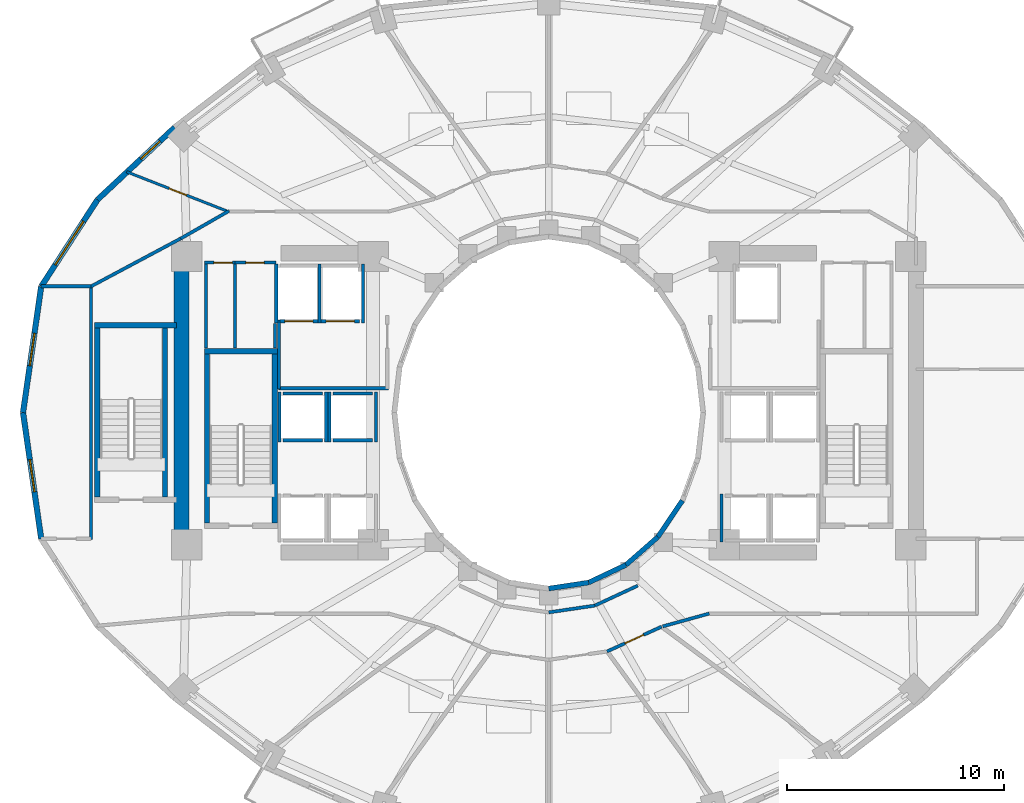
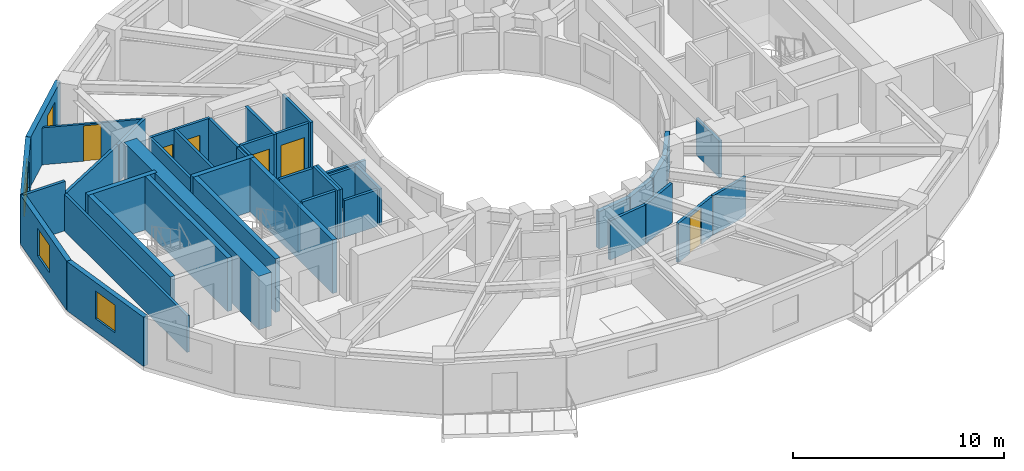
# One storey, part 4 of 10: 45 walls, 6 doors, 4 windows, 10 openings.
"""IFC4 building model written with IfcOpenShell, lengths in metres."""

from ifc_helpers import new_model, si_unit, direction, frame, frame_2d, origin, place, context, subcontext, project, spatial, rectangle, extrude, material, layer, layer_set, type_object, element, fill, save


model = new_model("IFC4")

# Units and contexts
model_context = context("Model", 3, precision=1e-05, world=origin(), true_north=direction((0.0, 1.0)))
body_context = subcontext(model_context, "Body", "Model", "MODEL_VIEW")
ifc_project = project(units=[si_unit("LENGTHUNIT", "METRE"), si_unit("AREAUNIT", "SQUARE_METRE"), si_unit("VOLUMEUNIT", "CUBIC_METRE"), si_unit("PLANEANGLEUNIT", "RADIAN"), si_unit("MASSUNIT", "GRAM", prefix="KILO")], contexts=[model_context])

# Site, building, storey
site_placement = place(None, origin())
site = spatial("IfcSite", under=ifc_project, at=site_placement, CompositionType="ELEMENT")
building_placement = place(site_placement, origin())
building = spatial("IfcBuilding", under=site, at=building_placement, Name="Solvane Sanctuary Tower", CompositionType="ELEMENT")
storey_placement = place(building_placement, frame((0.0, 0.0, 107.300048828125)))
storey = spatial("IfcBuildingStorey", under=building, at=storey_placement, Name="L32", CompositionType="ELEMENT", Elevation=107.300048828125)

# Walls
ifc_material_1 = material(Name="Concrete C60/75", Category="concrete")
ifc_layer_1 = layer(ifc_material_1, 0.699951171875, Name="Concrete C60/75")
ifc_layer_set_1 = layer_set([ifc_layer_1], Name="Concrete C60/75")
wall_type_1 = type_object("IfcWallType", Name="Wall W-CORE-700", PredefinedType="SHEAR", material=ifc_layer_set_1)
wall_1_placement = place(storey_placement, frame((15.050048828125, 17.050048828125, 0.0), z_axis=(0.0, 0.0, 1.0), x_axis=(0.0, 1.0, 0.0)))
element("IfcWall", 1, at=wall_1_placement, inside=storey, type_object=wall_type_1, Name="L32 Core Shear Wall WC-W", PredefinedType="SHEAR", context=body_context, shape_type="SweptSolid", body=[
    extrude(rectangle(XDim=12.800048828125, YDim=0.699951171875, at=frame_2d((6.39990234375, 0.0))), origin(), (0.0, 0.0, 1.0), 3.099853515625),
])
ifc_material_2 = material(Name="Acoustic Gypsum Partition Board")
ifc_layer_2 = layer(ifc_material_2, 0.14990234375, Name="Acoustic Gypsum Partition Board")
ifc_layer_set_2 = layer_set([ifc_layer_2], Name="Acoustic Gypsum Partition Board")
wall_type_2 = type_object("IfcWallType", Name="Wall W-CORR-150", PredefinedType="PARTITIONING", material=ifc_layer_set_2)
wall_2_placement = place(storey_placement, frame((19.52001953125, 24.1201171875, 0.0), z_axis=(0.0, 0.0, 1.0), x_axis=(1.0, 0.0, 0.0)))
element("IfcWall", 2, at=wall_2_placement, inside=storey, type_object=wall_type_2, Name="L32 West Firefighting Lobby South Wall", PredefinedType="PARTITIONING", context=body_context, shape_type="SweptSolid", body=[
    extrude(rectangle(XDim=5.080078125, YDim=0.14990234375, at=frame_2d((2.5400390625, 0.0))), origin(), (0.0, 0.0, 1.0), 2.119873046875),
])
wall_3_placement = place(storey_placement, frame((19.550048828125, 24.080078125, 0.0), z_axis=(0.0, 0.0, 1.0), x_axis=(0.0, 1.0, 0.0)))
element("IfcWall", 3, at=wall_3_placement, inside=storey, type_object=wall_type_2, Name="L32 West Firefighting Lobby West Wall", PredefinedType="PARTITIONING", context=body_context, shape_type="SweptSolid", body=[
    extrude(rectangle(XDim=3.199951171875, YDim=0.14990234375, at=frame_2d((1.60009765625, 0.0))), origin(), (0.0, 0.0, 1.0), 2.85498046875),
])
wall_4_placement = place(storey_placement, frame((32.0, 13.780029296875, 0.0), z_axis=(0.0, 0.0, 1.0), x_axis=(0.989268584896, 0.146108408166, 0.0)))
element("IfcWall", 4, at=wall_4_placement, inside=storey, type_object=wall_type_2, Name="L32 Light-Well Corridor Rim Wall S3", PredefinedType="PARTITIONING", context=body_context, shape_type="SweptSolid", body=[
    extrude(rectangle(XDim=2.150634765625, YDim=0.14990234375, at=frame_2d((1.0751953125, 0.0))), origin(), (0.0, 0.0, 1.0), 2.27197265625),
])
wall_5_placement = place(storey_placement, frame((34.12744140625, 14.09423828125, 0.0), z_axis=(0.0, 0.0, 1.0), x_axis=(0.906943449489, 0.421252393975, 0.0)))
element("IfcWall", 5, at=wall_5_placement, inside=storey, type_object=wall_type_2, Name="L32 Light-Well Corridor Rim Wall S4", PredefinedType="PARTITIONING", context=body_context, shape_type="SweptSolid", body=[
    extrude(rectangle(XDim=2.18603515625, YDim=0.14990234375, at=frame_2d((1.093017578125, 0.0))), origin(), (0.0, 0.0, 1.0), 2.27197265625),
])
wall_6_placement = place(storey_placement, frame((10.8798828125, 17.134765625, 0.0), z_axis=(0.0, 0.0, 1.0), x_axis=(0.0, 1.0, 0.0)))
element("IfcWall", 6, at=wall_6_placement, inside=storey, type_object=wall_type_2, Name="L32 West Shoulder Back Wall", PredefinedType="PARTITIONING", context=body_context, shape_type="SweptSolid", body=[
    extrude(rectangle(XDim=11.73046875, YDim=0.14990234375, at=frame_2d((5.865234375, 0.0))), origin(), (0.0, 0.0, 1.0), 2.119873046875),
])
wall_7_placement = place(storey_placement, frame((8.558349609375, 28.8251953125, 0.0), z_axis=(0.0, 0.0, 1.0), x_axis=(1.0, 0.0, 0.0)))
element("IfcWall", 7, at=wall_7_placement, inside=storey, type_object=wall_type_2, Name="L32 West Shoulder North Wall", PredefinedType="PARTITIONING", context=body_context, shape_type="SweptSolid", body=[
    extrude(rectangle(XDim=2.321533203125, YDim=0.14990234375, at=frame_2d((1.16064453125, 0.0))), origin(), (0.0, 0.0, 1.0), 2.85498046875),
])
wall_8_placement = place(storey_placement, frame((10.8447265625, 28.806396484375, 0.0), z_axis=(0.0, 0.0, 1.0), x_axis=(0.88227840565, 0.470727962759, 0.0)))
element("IfcWall", 8, at=wall_8_placement, inside=storey, type_object=wall_type_2, Name="L32 NW Corner Closer 1", PredefinedType="PARTITIONING", context=body_context, shape_type="SweptSolid", body=[
    extrude(rectangle(XDim=4.806396484375, YDim=0.14990234375, at=frame_2d((2.4033203125, 0.0))), origin(), (0.0, 0.0, 1.0), 2.141845703125),
])
wall_9_placement = place(storey_placement, frame((17.243408203125, 32.3046875, 0.0), z_axis=(0.0, 0.0, 1.0), x_axis=(-0.867991349648, -0.496579315857, 0.0)))
element("IfcWall", 9, at=wall_9_placement, inside=storey, type_object=wall_type_2, Name="L32 NW Corner Wing Wall", PredefinedType="PARTITIONING", context=body_context, shape_type="SweptSolid", body=[
    extrude(rectangle(XDim=2.56689453125, YDim=0.14990234375, at=frame_2d((1.283447265625, 0.0))), origin(), (0.0, 0.0, 1.0), 2.141845703125),
])
wall_10_placement = place(storey_placement, frame((37.258056640625, 13.13330078125, 0.0), z_axis=(0.0, 0.0, 1.0), x_axis=(0.963833843713, 0.266503886865, 0.0)))
element("IfcWall", 10, at=wall_10_placement, inside=storey, type_object=wall_type_2, Name="L32 SE Corner Throat Wall", PredefinedType="PARTITIONING", context=body_context, shape_type="SweptSolid", body=[
    extrude(rectangle(XDim=2.231689453125, YDim=0.14990234375, at=frame_2d((1.11572265625, 0.0))), origin(), (0.0, 0.0, 1.0), 2.27197265625),
])

# Wall, opening, door
wall_11_placement = place(storey_placement, frame((34.687255859375, 11.976806640625, 0.0), z_axis=(0.0, 0.0, 1.0), x_axis=(0.910568469686, 0.41335827319, 0.0)))
wall_11 = element("IfcWall", 11, at=wall_11_placement, inside=storey, type_object=wall_type_2, Name="L32 Unit Corridor Wall S4", PredefinedType="PARTITIONING", context=body_context, shape_type="SweptSolid", body=[
    extrude(rectangle(XDim=2.771728515625, YDim=0.14990234375, at=frame_2d((1.3857421875, 0.0))), origin(), (0.0, 0.0, 1.0), 2.27197265625),
])
opening_1_placement = place(wall_11_placement, frame((0.910888671875, 0.0, 0.0)))
opening_1 = element("IfcOpeningElement", 12, at=opening_1_placement, cuts=wall_11, Name="Opening D-L32-29", PredefinedType="OPENING", context=body_context, shape_type="SweptSolid", body=[
    extrude(rectangle(XDim=0.949951171875, YDim=2.10009765625, at=frame_2d((0.47509765625, 1.050048828125))), frame((0.0, 0.0849609375, 0.0), z_axis=(0.0, -1.0, 0.0), x_axis=(1.0, 0.0, 0.0)), (0.0, 0.0, 1.0), 0.169921875),
])
ifc_material_3 = material(Name="Engineered Tropical Hardwood", Category="wood")
door_type_1 = type_object("IfcDoorType", Name="Door D-ROOM-950", OperationType="NOTDEFINED", PredefinedType="DOOR", material=ifc_material_3)
door_1_placement = place(opening_1_placement, origin())
door_1 = element("IfcDoor", 13, at=door_1_placement, inside=storey, type_object=door_type_1, Name="L32 Unit Entrance Door S4", OperationType="SINGLE_SWING_RIGHT", OverallHeight=2.10009765625, OverallWidth=0.949951171875, PredefinedType="DOOR", context=body_context, shape_type="SweptSolid", body=[
    extrude(rectangle(XDim=0.949951171875, YDim=2.10009765625, at=frame_2d((0.47509765625, 1.050048828125))), frame((0.0, 0.02490234375, 0.0), z_axis=(0.0, -1.0, 0.0), x_axis=(1.0, 0.0, 0.0)), (0.0, 0.0, 1.0), 0.050048828125),
])
fill(opening_1, door_1)

# Wall, opening, window
ifc_material_4 = material(Name="Precast concrete C40/50", Category="concrete")
ifc_layer_3 = layer(ifc_material_4, 0.260009765625, Name="Precast concrete C40/50")
ifc_layer_set_3 = layer_set([ifc_layer_3], Name="Precast concrete C40/50")
wall_type_3 = type_object("IfcWallType", Name="Wall W-EXT-250", PredefinedType="STANDARD", material=ifc_layer_set_3)
wall_12_placement = place(storey_placement, frame((14.734130859375, 36.1533203125, 0.0), z_axis=(0.0, 0.0, 1.0), x_axis=(-0.730162452258, -0.68327358599, 0.0)))
wall_12 = element("IfcWall", 14, at=wall_12_placement, inside=storey, type_object=wall_type_3, Name="L32 Ceramic-Printed Facade Wall 09", PredefinedType="STANDARD", context=body_context, shape_type="SweptSolid", body=[
    extrude(rectangle(XDim=4.868408203125, YDim=0.260009765625, at=frame_2d((2.43408203125, 0.0))), origin(), (0.0, 0.0, 1.0), 2.849853515625),
])
opening_2_placement = place(wall_12_placement, frame((0.925537109375, 0.0, 0.75)))
opening_2 = element("IfcOpeningElement", 15, at=opening_2_placement, cuts=wall_12, Name="Opening WN-OPER-1200", PredefinedType="OPENING", context=body_context, shape_type="SweptSolid", body=[
    extrude(rectangle(XDim=1.199951171875, YDim=1.5, at=frame_2d((0.60009765625, 0.75))), frame((0.0, 0.139892578125, 0.0), z_axis=(0.0, -1.0, 0.0), x_axis=(1.0, 0.0, 0.0)), (0.0, 0.0, 1.0), 0.280029296875),
])
ifc_material_5 = material(Name="Dark Ceramic-Fritted Low-E Glass", Category="glass")
window_type_1 = type_object("IfcWindowType", Name="Window WN-OPER-1200", PartitioningType="SINGLE_PANEL", PredefinedType="WINDOW", material=ifc_material_5)
window_1_placement = place(opening_2_placement, origin())
window_1 = element("IfcWindow", 16, at=window_1_placement, inside=storey, type_object=window_type_1, Name="L32 Operable Facade Window 09", OverallHeight=1.5, OverallWidth=1.199951171875, PartitioningType="SINGLE_PANEL", PredefinedType="WINDOW", context=body_context, shape_type="SweptSolid", body=[
    extrude(rectangle(XDim=1.199951171875, YDim=1.5, at=frame_2d((0.60009765625, 0.75))), frame((0.0, 0.030029296875, 0.0), z_axis=(0.0, -1.0, 0.0), x_axis=(1.0, 0.0, 0.0)), (0.0, 0.0, 1.0), 0.06005859375),
])
fill(opening_2, window_1)

wall_13_placement = place(storey_placement, frame((11.179443359375, 32.826904296875, 0.0), z_axis=(0.0, 0.0, 1.0), x_axis=(-0.544388392991, -0.838833283541, 0.0)))
wall_13 = element("IfcWall", 17, at=wall_13_placement, inside=storey, type_object=wall_type_3, Name="L32 Ceramic-Printed Facade Wall 10", PredefinedType="STANDARD", context=body_context, shape_type="SweptSolid", body=[
    extrude(rectangle(XDim=4.7783203125, YDim=0.260009765625, at=frame_2d((2.38916015625, 0.0))), origin(), (0.0, 0.0, 1.0), 2.849853515625),
])
opening_3_placement = place(wall_13_placement, frame((1.189208984375, 0.0, 0.75)))
opening_3 = element("IfcOpeningElement", 18, at=opening_3_placement, cuts=wall_13, Name="Opening WN-RIB-2400", PredefinedType="OPENING", context=body_context, shape_type="SweptSolid", body=[
    extrude(rectangle(XDim=2.39990234375, YDim=1.699951171875, at=frame_2d((1.199951171875, 0.85009765625))), frame((0.0, 0.139892578125, 0.0), z_axis=(0.0, -1.0, 0.0), x_axis=(1.0, 0.0, 0.0)), (0.0, 0.0, 1.0), 0.280029296875),
])
window_type_2 = type_object("IfcWindowType", Name="Window WN-RIB-2400", PartitioningType="SINGLE_PANEL", PredefinedType="WINDOW", material=ifc_material_5)
window_2_placement = place(opening_3_placement, origin())
window_2 = element("IfcWindow", 19, at=window_2_placement, inside=storey, type_object=window_type_2, Name="L32 Operable Facade Window 10", OverallHeight=1.699951171875, OverallWidth=2.39990234375, PartitioningType="SINGLE_PANEL", PredefinedType="WINDOW", context=body_context, shape_type="SweptSolid", body=[
    extrude(rectangle(XDim=2.39990234375, YDim=1.699951171875, at=frame_2d((1.199951171875, 0.85009765625))), frame((0.0, 0.030029296875, 0.0), z_axis=(0.0, -1.0, 0.0), x_axis=(1.0, 0.0, 0.0)), (0.0, 0.0, 1.0), 0.06005859375),
])
fill(opening_3, window_2)

wall_14_placement = place(storey_placement, frame((8.578125, 28.818603515625, 0.0), z_axis=(0.0, 0.0, 1.0), x_axis=(-0.142572472068, -0.98978436551, 0.0)))
wall_14 = element("IfcWall", 20, at=wall_14_placement, inside=storey, type_object=wall_type_3, Name="L32 Ceramic-Printed Facade Wall 11", PredefinedType="STANDARD", context=body_context, shape_type="SweptSolid", body=[
    extrude(rectangle(XDim=5.878662109375, YDim=0.260009765625, at=frame_2d((2.939453125, 0.0))), origin(), (0.0, 0.0, 1.0), 2.849853515625),
])
opening_4_placement = place(wall_14_placement, frame((2.189453125, 0.0, 0.75)))
opening_4 = element("IfcOpeningElement", 21, at=opening_4_placement, cuts=wall_14, Name="Opening WN-OPER-1500", PredefinedType="OPENING", context=body_context, shape_type="SweptSolid", body=[
    extrude(rectangle(XDim=1.5, YDim=1.60009765625, at=frame_2d((0.75, 0.800048828125))), frame((0.0, 0.139892578125, 0.0), z_axis=(0.0, -1.0, 0.0), x_axis=(1.0, 0.0, 0.0)), (0.0, 0.0, 1.0), 0.280029296875),
])
window_type_3 = type_object("IfcWindowType", Name="Window WN-OPER-1500", PartitioningType="SINGLE_PANEL", PredefinedType="WINDOW", material=ifc_material_5)
window_3_placement = place(opening_4_placement, origin())
window_3 = element("IfcWindow", 22, at=window_3_placement, inside=storey, type_object=window_type_3, Name="L32 Operable Facade Window 11", OverallHeight=1.60009765625, OverallWidth=1.5, PartitioningType="SINGLE_PANEL", PredefinedType="WINDOW", context=body_context, shape_type="SweptSolid", body=[
    extrude(rectangle(XDim=1.5, YDim=1.60009765625, at=frame_2d((0.75, 0.800048828125))), frame((0.0, 0.030029296875, 0.0), z_axis=(0.0, -1.0, 0.0), x_axis=(1.0, 0.0, 0.0)), (0.0, 0.0, 1.0), 0.06005859375),
])
fill(opening_4, window_3)

wall_15_placement = place(storey_placement, frame((7.739990234375, 23.0, 0.0), z_axis=(0.0, 0.0, 1.0), x_axis=(0.142572472068, -0.98978436551, 0.0)))
wall_15 = element("IfcWall", 23, at=wall_15_placement, inside=storey, type_object=wall_type_3, Name="L32 Ceramic-Printed Facade Wall 12", PredefinedType="STANDARD", context=body_context, shape_type="SweptSolid", body=[
    extrude(rectangle(XDim=5.878662109375, YDim=0.260009765625, at=frame_2d((2.939453125, 0.0))), origin(), (0.0, 0.0, 1.0), 2.849853515625),
])
opening_5_placement = place(wall_15_placement, frame((2.189453125, 0.0, 0.75)))
opening_5 = element("IfcOpeningElement", 24, at=opening_5_placement, cuts=wall_15, Name="Opening WN-OPER-1500", PredefinedType="OPENING", context=body_context, shape_type="SweptSolid", body=[
    extrude(rectangle(XDim=1.5, YDim=1.60009765625, at=frame_2d((0.75, 0.800048828125))), frame((0.0, 0.139892578125, 0.0), z_axis=(0.0, -1.0, 0.0), x_axis=(1.0, 0.0, 0.0)), (0.0, 0.0, 1.0), 0.280029296875),
])
window_4_placement = place(opening_5_placement, origin())
window_4 = element("IfcWindow", 25, at=window_4_placement, inside=storey, type_object=window_type_3, Name="L32 Operable Facade Window 12", OverallHeight=1.60009765625, OverallWidth=1.5, PartitioningType="SINGLE_PANEL", PredefinedType="WINDOW", context=body_context, shape_type="SweptSolid", body=[
    extrude(rectangle(XDim=1.5, YDim=1.60009765625, at=frame_2d((0.75, 0.800048828125))), frame((0.0, 0.030029296875, 0.0), z_axis=(0.0, -1.0, 0.0), x_axis=(1.0, 0.0, 0.0)), (0.0, 0.0, 1.0), 0.06005859375),
])
fill(opening_5, window_4)

# Walls
ifc_layer_4 = layer(ifc_material_4, 0.22998046875, Name="Precast concrete C40/50")
ifc_layer_set_4 = layer_set([ifc_layer_4], Name="Precast concrete C40/50")
wall_type_4 = type_object("IfcWallType", Name="Wall W-EXT-SP220", PredefinedType="STANDARD", material=ifc_layer_set_4)
wall_16_placement = place(storey_placement, frame((32.0, 14.8798828125, 0.0), z_axis=(0.0, 0.0, 1.0), x_axis=(0.988901730308, 0.148571086668, 0.0)))
element("IfcWall", 26, at=wall_16_placement, inside=storey, type_object=wall_type_4, Name="L32 Central Light-Well Wall 18", PredefinedType="STANDARD", context=body_context, shape_type="SweptSolid", body=[
    extrude(rectangle(XDim=1.863525390625, YDim=0.22998046875, at=frame_2d((0.931640625, 0.0))), origin(), (0.0, 0.0, 1.0), 2.159912109375),
])
wall_17_placement = place(storey_placement, frame((33.8427734375, 15.15673828125, 0.0), z_axis=(0.0, 0.0, 1.0), x_axis=(0.904179699603, 0.427152280606, 0.0)))
element("IfcWall", 27, at=wall_17_placement, inside=storey, type_object=wall_type_4, Name="L32 Central Light-Well Wall 19", PredefinedType="STANDARD", context=body_context, shape_type="SweptSolid", body=[
    extrude(rectangle(XDim=1.899169921875, YDim=0.22998046875, at=frame_2d((0.94970703125, 0.0))), origin(), (0.0, 0.0, 1.0), 2.159912109375),
])
wall_18_placement = place(storey_placement, frame((35.56005859375, 15.968017578125, 0.0), z_axis=(0.0, 0.0, 1.0), x_axis=(0.752576694707, 0.658504607869, 0.0)))
element("IfcWall", 28, at=wall_18_placement, inside=storey, type_object=wall_type_4, Name="L32 Central Light-Well Wall 20", PredefinedType="STANDARD", context=body_context, shape_type="SweptSolid", body=[
    extrude(rectangle(XDim=1.95947265625, YDim=0.22998046875, at=frame_2d((0.979736328125, 0.0))), origin(), (0.0, 0.0, 1.0), 2.159912109375),
])
wall_19_placement = place(storey_placement, frame((37.03466796875, 17.25830078125, 0.0), z_axis=(0.0, 0.0, 1.0), x_axis=(0.558197800898, 0.829707909492, 0.0)))
element("IfcWall", 29, at=wall_19_placement, inside=storey, type_object=wall_type_4, Name="L32 Central Light-Well Wall 21", PredefinedType="STANDARD", context=body_context, shape_type="SweptSolid", body=[
    extrude(rectangle(XDim=2.02685546875, YDim=0.22998046875, at=frame_2d((1.013427734375, 0.0))), origin(), (0.0, 0.0, 1.0), 2.159912109375),
])

# Wall, opening, door
ifc_layer_5 = layer(ifc_material_2, 0.1201171875, Name="Acoustic Gypsum Partition Board")
ifc_layer_set_5 = layer_set([ifc_layer_5], Name="Acoustic Gypsum Partition Board")
wall_type_5 = type_object("IfcWallType", Name="Wall W-MOV-100", PredefinedType="MOVABLE", material=ifc_layer_set_5)
wall_20_placement = place(storey_placement, frame((17.24658203125, 32.26171875, 0.0), z_axis=(0.0, 0.0, 1.0), x_axis=(-0.931226461187, 0.364441048711, 0.0)))
wall_20 = element("IfcWall", 30, at=wall_20_placement, inside=storey, type_object=wall_type_5, Name="L32 NW Corner Suite Partition", PredefinedType="MOVABLE", context=body_context, shape_type="SweptSolid", body=[
    extrude(rectangle(XDim=5.0771484375, YDim=0.1201171875, at=frame_2d((2.53857421875, 0.0))), origin(), (0.0, 0.0, 1.0), 2.141845703125),
])
opening_6_placement = place(wall_20_placement, frame((2.113525390625, 0.0, 0.0)))
opening_6 = element("IfcOpeningElement", 31, at=opening_6_placement, cuts=wall_20, Name="Opening D-L32-18", PredefinedType="OPENING", context=body_context, shape_type="SweptSolid", body=[
    extrude(rectangle(XDim=0.85009765625, YDim=2.050048828125, at=frame_2d((0.425048828125, 1.02490234375))), frame((0.0, 0.070068359375, 0.0), z_axis=(0.0, -1.0, 0.0), x_axis=(1.0, 0.0, 0.0)), (0.0, 0.0, 1.0), 0.14013671875),
])
ifc_material_6 = material(Name="Architectural Stainless Steel 316", Category="steel")
door_type_2 = type_object("IfcDoorType", Name="Door D-RISER", OperationType="NOTDEFINED", PredefinedType="DOOR", material=ifc_material_6)
door_2_placement = place(opening_6_placement, origin())
door_2 = element("IfcDoor", 32, at=door_2_placement, inside=storey, type_object=door_type_2, Name="L32 NW Corner Suite Door", OperationType="SINGLE_SWING_LEFT", OverallHeight=2.050048828125, OverallWidth=0.85009765625, PredefinedType="DOOR", context=body_context, shape_type="SweptSolid", body=[
    extrude(rectangle(XDim=0.85009765625, YDim=2.050048828125, at=frame_2d((0.425048828125, 1.02490234375))), frame((0.0, 0.02490234375, 0.0), z_axis=(0.0, -1.0, 0.0), x_axis=(1.0, 0.0, 0.0)), (0.0, 0.0, 1.0), 0.050048828125),
])
fill(opening_6, door_2)

# Walls
ifc_material_7 = material(Name="Concrete C50/60", Category="concrete")
ifc_layer_6 = layer(ifc_material_7, 0.14990234375, Name="Concrete C50/60")
ifc_layer_set_6 = layer_set([ifc_layer_6], Name="Concrete C50/60")
wall_type_6 = type_object("IfcWallType", Name="Wall W-SHAFT-150", PredefinedType="SOLIDWALL", material=ifc_layer_set_6)
wall_21_placement = place(storey_placement, frame((39.969970703125, 17.02001953125, 0.0), z_axis=(0.0, 0.0, 1.0), x_axis=(0.0, 1.0, 0.0)))
element("IfcWall", 33, at=wall_21_placement, inside=storey, type_object=wall_type_6, Name="L32 PL-3 Lift Shaft Wall S1", PredefinedType="SOLIDWALL", context=body_context, shape_type="SweptSolid", body=[
    extrude(rectangle(XDim=2.219970703125, YDim=0.14990234375, at=frame_2d((1.10986328125, 0.0))), origin(), (0.0, 0.0, 1.0), 2.119873046875),
])
for number, where, z_axis, x_axis, name in (
    (34, (19.739990234375, 21.719970703125, 0.0), (0.0, 0.0, 1.0), (1.0, 0.0, 0.0), "L32 PM-1 Lift Shaft Wall F"),
    (35, (19.739990234375, 23.8798828125, 0.0), (0.0, 0.0, 1.0), (1.0, 0.0, 0.0), "L32 PM-1 Lift Shaft Wall B"),
):
    element("IfcWall", number, at=place(storey_placement, frame(where, z_axis=z_axis, x_axis=x_axis)), inside=storey, type_object=wall_type_6, Name=name, PredefinedType="SOLIDWALL", context=body_context, shape_type="SweptSolid", body=[
        extrude(rectangle(XDim=1.820068359375, YDim=0.14990234375, at=frame_2d((0.91015625, 0.0))), origin(), (0.0, 0.0, 1.0), 2.85498046875),
    ])
for number, where, z_axis, x_axis, name in (
    (36, (19.570068359375, 21.639892578125, 0.0), (0.0, 0.0, 1.0), (0.0, 1.0, 0.0), "L32 PM-1 Lift Shaft Wall S1"),
    (37, (21.72998046875, 21.639892578125, 0.0), (0.0, 0.0, 1.0), (0.0, 1.0, 0.0), "L32 PM-1 Lift Shaft Wall S2"),
):
    element("IfcWall", number, at=place(storey_placement, frame(where, z_axis=z_axis, x_axis=x_axis)), inside=storey, type_object=wall_type_6, Name=name, PredefinedType="SOLIDWALL", context=body_context, shape_type="SweptSolid", body=[
        extrude(rectangle(XDim=2.320068359375, YDim=0.14990234375, at=frame_2d((1.16015625, 0.0))), origin(), (0.0, 0.0, 1.0), 2.85498046875),
    ])
for number, where, z_axis, x_axis, name in (
    (38, (22.0400390625, 21.719970703125, 0.0), (0.0, 0.0, 1.0), (1.0, 0.0, 0.0), "L32 PH-1 Lift Shaft Wall F"),
    (39, (22.0400390625, 23.8798828125, 0.0), (0.0, 0.0, 1.0), (1.0, 0.0, 0.0), "L32 PH-1 Lift Shaft Wall B"),
):
    element("IfcWall", number, at=place(storey_placement, frame(where, z_axis=z_axis, x_axis=x_axis)), inside=storey, type_object=wall_type_6, Name=name, PredefinedType="SOLIDWALL", context=body_context, shape_type="SweptSolid", body=[
        extrude(rectangle(XDim=1.820068359375, YDim=0.14990234375, at=frame_2d((0.91015625, 0.0))), origin(), (0.0, 0.0, 1.0), 2.119873046875),
    ])
wall_22_placement = place(storey_placement, frame((21.8701171875, 21.639892578125, 0.0), z_axis=(0.0, 0.0, 1.0), x_axis=(0.0, 1.0, 0.0)))
element("IfcWall", 40, at=wall_22_placement, inside=storey, type_object=wall_type_6, Name="L32 PH-1 Lift Shaft Wall S1", PredefinedType="SOLIDWALL", context=body_context, shape_type="SweptSolid", body=[
    extrude(rectangle(XDim=2.320068359375, YDim=0.14990234375, at=frame_2d((1.16015625, 0.0))), origin(), (0.0, 0.0, 1.0), 2.85498046875),
])
wall_23_placement = place(storey_placement, frame((24.030029296875, 21.639892578125, 0.0), z_axis=(0.0, 0.0, 1.0), x_axis=(0.0, 1.0, 0.0)))
element("IfcWall", 41, at=wall_23_placement, inside=storey, type_object=wall_type_6, Name="L32 PH-1 Lift Shaft Wall S2", PredefinedType="SOLIDWALL", context=body_context, shape_type="SweptSolid", body=[
    extrude(rectangle(XDim=2.320068359375, YDim=0.14990234375, at=frame_2d((1.16015625, 0.0))), origin(), (0.0, 0.0, 1.0), 2.119873046875),
])

# Wall, opening, door
wall_24_placement = place(storey_placement, frame((19.590087890625, 27.219970703125, 0.0), z_axis=(0.0, 0.0, 1.0), x_axis=(1.0, 0.0, 0.0)))
wall_24 = element("IfcWall", 42, at=wall_24_placement, inside=storey, type_object=wall_type_6, Name="L32 FFL-1 Lift Shaft Wall F", PredefinedType="SOLIDWALL", context=body_context, shape_type="SweptSolid", body=[
    extrude(rectangle(XDim=1.760009765625, YDim=0.14990234375, at=frame_2d((0.8798828125, 0.0))), origin(), (0.0, 0.0, 1.0), 2.85498046875),
])
opening_7_placement = place(wall_24_placement, frame((0.22998046875, 0.0, 0.0)))
opening_7 = element("IfcOpeningElement", 43, at=opening_7_placement, cuts=wall_24, Name="Opening LD-L32-05", PredefinedType="OPENING", context=body_context, shape_type="SweptSolid", body=[
    extrude(rectangle(XDim=1.300048828125, YDim=2.10009765625, at=frame_2d((0.64990234375, 1.050048828125))), frame((0.0, 0.0849609375, 0.0), z_axis=(0.0, -1.0, 0.0), x_axis=(1.0, 0.0, 0.0)), (0.0, 0.0, 1.0), 0.169921875),
])
door_type_3 = type_object("IfcDoorType", Name="Door LD-FFL-1300", OperationType="NOTDEFINED", PredefinedType="DOOR", material=ifc_material_6)
door_3_placement = place(opening_7_placement, origin())
door_3 = element("IfcDoor", 44, at=door_3_placement, inside=storey, type_object=door_type_3, Name="L32 FFL-1 Lift Landing Door", OperationType="DOUBLE_DOOR_SLIDING", OverallHeight=2.10009765625, OverallWidth=1.300048828125, PredefinedType="DOOR", context=body_context, shape_type="SweptSolid", body=[
    extrude(rectangle(XDim=1.300048828125, YDim=2.10009765625, at=frame_2d((0.64990234375, 1.050048828125))), frame((0.0, 0.02490234375, 0.0), z_axis=(0.0, -1.0, 0.0), x_axis=(1.0, 0.0, 0.0)), (0.0, 0.0, 1.0), 0.050048828125),
])
fill(opening_7, door_3)

# Walls
for number, where, z_axis, x_axis, name in (
    (45, (19.419921875, 27.139892578125, 0.0), (0.0, 0.0, 1.0), (0.0, 1.0, 0.0), "L32 FFL-1 Lift Shaft Wall S1"),
    (46, (21.425048828125, 27.139892578125, 0.0), (0.0, 0.0, 1.0), (0.0, 1.0, 0.0), "L32 FFL-1 Lift Shaft Wall S2"),
):
    element("IfcWall", number, at=place(storey_placement, frame(where, z_axis=z_axis, x_axis=x_axis)), inside=storey, type_object=wall_type_6, Name=name, PredefinedType="SOLIDWALL", context=body_context, shape_type="SweptSolid", body=[
        extrude(rectangle(XDim=2.72021484375, YDim=0.14990234375, at=frame_2d((1.360107421875, 0.0))), origin(), (0.0, 0.0, 1.0), 2.85498046875),
    ])

# Wall, opening, door
wall_25_placement = place(storey_placement, frame((21.5, 27.219970703125, 0.0), z_axis=(0.0, 0.0, 1.0), x_axis=(1.0, 0.0, 0.0)))
wall_25 = element("IfcWall", 47, at=wall_25_placement, inside=storey, type_object=wall_type_6, Name="L32 SVL-1 Lift Shaft Wall F", PredefinedType="SOLIDWALL", context=body_context, shape_type="SweptSolid", body=[
    extrude(rectangle(XDim=1.760009765625, YDim=0.14990234375, at=frame_2d((0.8798828125, 0.0))), origin(), (0.0, 0.0, 1.0), 2.85498046875),
])
opening_8_placement = place(wall_25_placement, frame((0.22998046875, 0.0, 0.0)))
opening_8 = element("IfcOpeningElement", 48, at=opening_8_placement, cuts=wall_25, Name="Opening LD-L32-06", PredefinedType="OPENING", context=body_context, shape_type="SweptSolid", body=[
    extrude(rectangle(XDim=1.300048828125, YDim=2.10009765625, at=frame_2d((0.64990234375, 1.050048828125))), frame((0.0, 0.0849609375, 0.0), z_axis=(0.0, -1.0, 0.0), x_axis=(1.0, 0.0, 0.0)), (0.0, 0.0, 1.0), 0.169921875),
])
door_4_placement = place(opening_8_placement, origin())
door_4 = element("IfcDoor", 49, at=door_4_placement, inside=storey, type_object=door_type_3, Name="L32 SVL-1 Lift Landing Door", OperationType="DOUBLE_DOOR_SLIDING", OverallHeight=2.10009765625, OverallWidth=1.300048828125, PredefinedType="DOOR", context=body_context, shape_type="SweptSolid", body=[
    extrude(rectangle(XDim=1.300048828125, YDim=2.10009765625, at=frame_2d((0.64990234375, 1.050048828125))), frame((0.0, 0.02490234375, 0.0), z_axis=(0.0, -1.0, 0.0), x_axis=(1.0, 0.0, 0.0)), (0.0, 0.0, 1.0), 0.050048828125),
])
fill(opening_8, door_4)

# Walls
wall_26_placement = place(storey_placement, frame((23.429931640625, 27.139892578125, 0.0), z_axis=(0.0, 0.0, 1.0), x_axis=(0.0, 1.0, 0.0)))
element("IfcWall", 50, at=wall_26_placement, inside=storey, type_object=wall_type_6, Name="L32 SVL-1 Lift Shaft Wall S2", PredefinedType="SOLIDWALL", context=body_context, shape_type="SweptSolid", body=[
    extrude(rectangle(XDim=2.72021484375, YDim=0.14990234375, at=frame_2d((1.360107421875, 0.0))), origin(), (0.0, 0.0, 1.0), 2.85498046875),
])
ifc_layer_7 = layer(ifc_material_7, 0.25, Name="Concrete C50/60")
ifc_layer_set_7 = layer_set([ifc_layer_7], Name="Concrete C50/60")
wall_type_7 = type_object("IfcWallType", Name="Wall W-SHAFT-250", PredefinedType="SOLIDWALL", material=ifc_layer_set_7)
wall_27_placement = place(storey_placement, frame((16.10498046875, 25.830078125, 0.0), z_axis=(0.0, 0.0, 1.0), x_axis=(1.0, 0.0, 0.0)))
element("IfcWall", 51, at=wall_27_placement, inside=storey, type_object=wall_type_7, Name="L32 ST-1 Load-Bearing Shaft Wall N", PredefinedType="SOLIDWALL", context=body_context, shape_type="SweptSolid", body=[
    extrude(rectangle(XDim=3.3701171875, YDim=0.25, at=frame_2d((1.68505859375, 0.0))), origin(), (0.0, 0.0, 1.0), 3.099853515625),
])
for number, where, z_axis, x_axis, name in (
    (52, (16.22998046875, 17.89501953125, 0.0), (0.0, 0.0, 1.0), (0.0, 1.0, 0.0), "L32 ST-1 Load-Bearing Shaft Wall W"),
    (53, (19.35009765625, 17.89501953125, 0.0), (0.0, 0.0, 1.0), (0.0, 1.0, 0.0), "L32 ST-1 Load-Bearing Shaft Wall E"),
):
    element("IfcWall", number, at=place(storey_placement, frame(where, z_axis=z_axis, x_axis=x_axis)), inside=storey, type_object=wall_type_7, Name=name, PredefinedType="SOLIDWALL", context=body_context, shape_type="SweptSolid", body=[
        extrude(rectangle(XDim=7.81005859375, YDim=0.25, at=frame_2d((3.905029296875, 0.0))), origin(), (0.0, 0.0, 1.0), 3.099853515625),
    ])
wall_28_placement = place(storey_placement, frame((11.044921875, 27.030029296875, 0.0), z_axis=(0.0, 0.0, 1.0), x_axis=(1.0, 0.0, 0.0)))
element("IfcWall", 54, at=wall_28_placement, inside=storey, type_object=wall_type_7, Name="L32 ST-3 Load-Bearing Shaft Wall N", PredefinedType="SOLIDWALL", context=body_context, shape_type="SweptSolid", body=[
    extrude(rectangle(XDim=3.781982421875, YDim=0.25, at=frame_2d((1.89111328125, 0.0))), origin(), (0.0, 0.0, 1.0), 3.099853515625),
])
for number, where, z_axis, x_axis, name in (
    (55, (11.169921875, 19.094970703125, 0.0), (0.0, 0.0, 1.0), (0.0, 1.0, 0.0), "L32 ST-3 Load-Bearing Shaft Wall W"),
    (56, (14.2900390625, 19.094970703125, 0.0), (0.0, 0.0, 1.0), (0.0, 1.0, 0.0), "L32 ST-3 Load-Bearing Shaft Wall E"),
):
    element("IfcWall", number, at=place(storey_placement, frame(where, z_axis=z_axis, x_axis=x_axis)), inside=storey, type_object=wall_type_7, Name=name, PredefinedType="SOLIDWALL", context=body_context, shape_type="SweptSolid", body=[
        extrude(rectangle(XDim=7.81005859375, YDim=0.25, at=frame_2d((3.905029296875, 0.0))), origin(), (0.0, 0.0, 1.0), 3.099853515625),
    ])

# Wall, opening, door
ifc_layer_8 = layer(ifc_material_2, 0.139892578125, Name="Acoustic Gypsum Partition Board")
ifc_layer_set_8 = layer_set([ifc_layer_8], Name="Acoustic Gypsum Partition Board")
wall_type_8 = type_object("IfcWallType", Name="Wall W-WET-140", PredefinedType="PLUMBINGWALL", material=ifc_layer_set_8)
wall_29_placement = place(storey_placement, frame((16.1201171875, 29.919921875, 0.0), z_axis=(0.0, 0.0, 1.0), x_axis=(1.0, 0.0, 0.0)))
wall_29 = element("IfcWall", 57, at=wall_29_placement, inside=storey, type_object=wall_type_8, Name="L32 Core Service Front Wall KW1", PredefinedType="PLUMBINGWALL", context=body_context, shape_type="SweptSolid", body=[
    extrude(rectangle(XDim=1.39990234375, YDim=0.139892578125, at=frame_2d((0.699951171875, 0.0))), origin(), (0.0, 0.0, 1.0), 2.85498046875),
])
opening_9_placement = place(wall_29_placement, frame((0.429931640625, 0.0, 0.0)))
opening_9 = element("IfcOpeningElement", 58, at=opening_9_placement, cuts=wall_29, Name="Opening D-L32-10", PredefinedType="OPENING", context=body_context, shape_type="SweptSolid", body=[
    extrude(rectangle(XDim=0.85009765625, YDim=2.050048828125, at=frame_2d((0.425048828125, 1.02490234375))), frame((0.0, 0.079833984375, 0.0), z_axis=(0.0, -1.0, 0.0), x_axis=(1.0, 0.0, 0.0)), (0.0, 0.0, 1.0), 0.159912109375),
])
door_5_placement = place(opening_9_placement, origin())
door_5 = element("IfcDoor", 59, at=door_5_placement, inside=storey, type_object=door_type_2, Name="L32 Core Service Room Door KW1-1", OperationType="SINGLE_SWING_LEFT", OverallHeight=2.050048828125, OverallWidth=0.85009765625, PredefinedType="DOOR", context=body_context, shape_type="SweptSolid", body=[
    extrude(rectangle(XDim=0.85009765625, YDim=2.050048828125, at=frame_2d((0.425048828125, 1.02490234375))), frame((0.0, 0.02490234375, 0.0), z_axis=(0.0, -1.0, 0.0), x_axis=(1.0, 0.0, 0.0)), (0.0, 0.0, 1.0), 0.050048828125),
])
fill(opening_9, door_5)

# Walls
for number, where, z_axis, x_axis, name in (
    (60, (16.179931640625, 25.97998046875, 0.0), (0.0, 0.0, 1.0), (0.0, 1.0, 0.0), "L32 Core Service Side Wall KW1-1"),
    (61, (17.52001953125, 25.97998046875, 0.0), (0.0, 0.0, 1.0), (0.0, 1.0, 0.0), "L32 Core Service Side Wall KW1-2"),
):
    element("IfcWall", number, at=place(storey_placement, frame(where, z_axis=z_axis, x_axis=x_axis)), inside=storey, type_object=wall_type_8, Name=name, PredefinedType="PLUMBINGWALL", context=body_context, shape_type="SweptSolid", body=[
        extrude(rectangle(XDim=3.880126953125, YDim=0.139892578125, at=frame_2d((1.93994140625, 0.0))), origin(), (0.0, 0.0, 1.0), 2.85498046875),
    ])

# Wall, opening, door
wall_30_placement = place(storey_placement, frame((17.52001953125, 29.919921875, 0.0), z_axis=(0.0, 0.0, 1.0), x_axis=(1.0, 0.0, 0.0)))
wall_30 = element("IfcWall", 62, at=wall_30_placement, inside=storey, type_object=wall_type_8, Name="L32 Core Service Front Wall KW2", PredefinedType="PLUMBINGWALL", context=body_context, shape_type="SweptSolid", body=[
    extrude(rectangle(XDim=1.89990234375, YDim=0.139892578125, at=frame_2d((0.949951171875, 0.0))), origin(), (0.0, 0.0, 1.0), 2.85498046875),
])
opening_10_placement = place(wall_30_placement, frame((0.5, 0.0, 0.0)))
opening_10 = element("IfcOpeningElement", 63, at=opening_10_placement, cuts=wall_30, Name="Opening D-L32-11", PredefinedType="OPENING", context=body_context, shape_type="SweptSolid", body=[
    extrude(rectangle(XDim=0.85009765625, YDim=2.050048828125, at=frame_2d((0.425048828125, 1.02490234375))), frame((0.0, 0.079833984375, 0.0), z_axis=(0.0, -1.0, 0.0), x_axis=(1.0, 0.0, 0.0)), (0.0, 0.0, 1.0), 0.159912109375),
])
door_6_placement = place(opening_10_placement, origin())
door_6 = element("IfcDoor", 64, at=door_6_placement, inside=storey, type_object=door_type_2, Name="L32 Core Service Room Door KW2-1", OperationType="SINGLE_SWING_RIGHT", OverallHeight=2.050048828125, OverallWidth=0.85009765625, PredefinedType="DOOR", context=body_context, shape_type="SweptSolid", body=[
    extrude(rectangle(XDim=0.85009765625, YDim=2.050048828125, at=frame_2d((0.425048828125, 1.02490234375))), frame((0.0, 0.02490234375, 0.0), z_axis=(0.0, -1.0, 0.0), x_axis=(1.0, 0.0, 0.0)), (0.0, 0.0, 1.0), 0.050048828125),
])
fill(opening_10, door_6)

# Wall
wall_31_placement = place(storey_placement, frame((19.360107421875, 25.97998046875, 0.0), z_axis=(0.0, 0.0, 1.0), x_axis=(0.0, 1.0, 0.0)))
element("IfcWall", 65, at=wall_31_placement, inside=storey, type_object=wall_type_8, Name="L32 Core Service Side Wall KW2-1", PredefinedType="PLUMBINGWALL", context=body_context, shape_type="SweptSolid", body=[
    extrude(rectangle(XDim=1.1201171875, YDim=0.139892578125, at=frame_2d((0.56005859375, 0.0))), origin(), (0.0, 0.0, 1.0), 2.85498046875),
])

save(model, "model.ifc")
